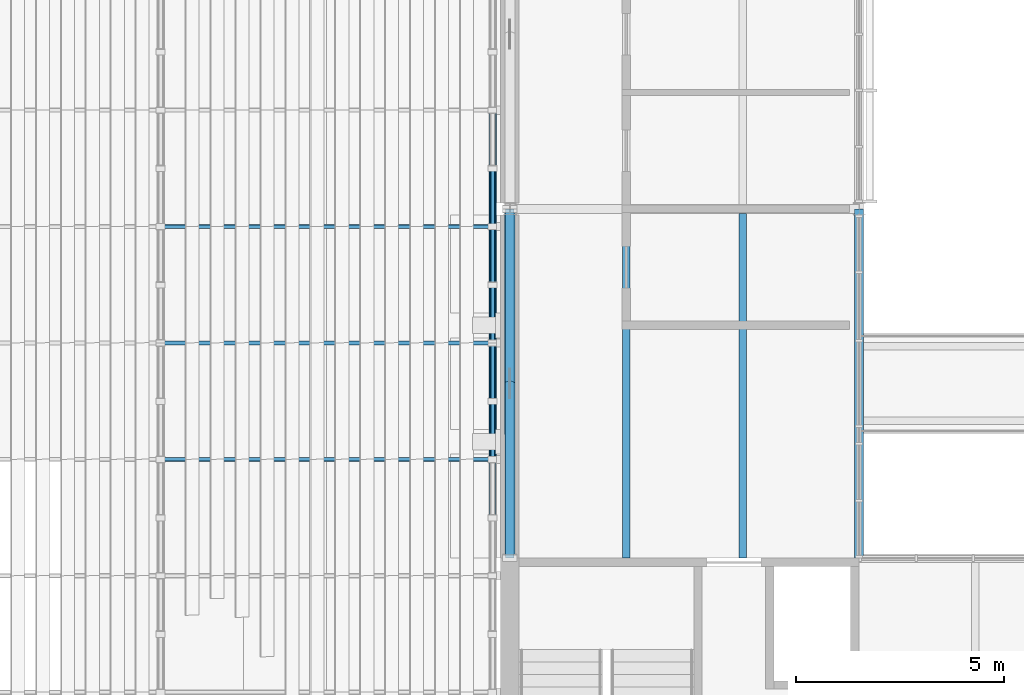
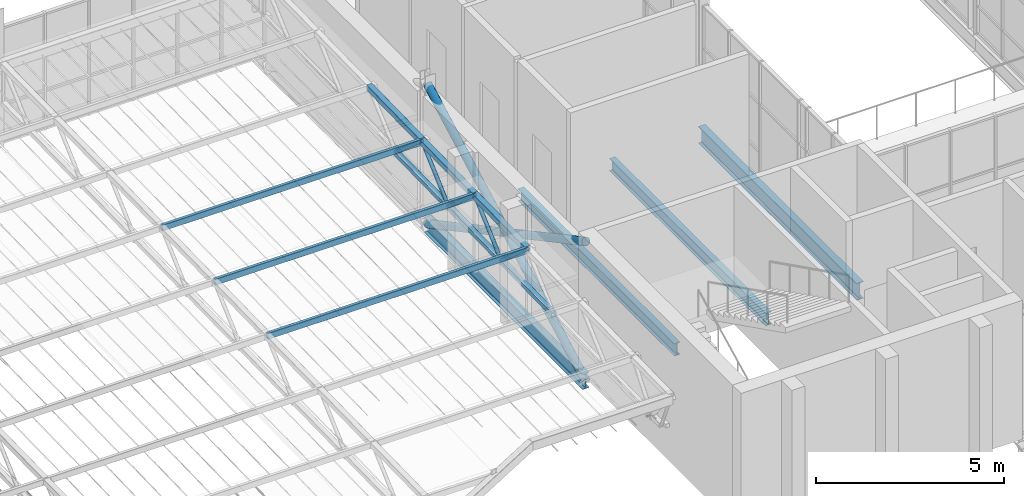
# One storey, part 36 of 129: 17 members, 4 beams.
"""IFC4 building model written with IfcOpenShell, lengths in metres."""

from ifc_helpers import new_model, si_unit, direction, frame, origin, origin_2d, place, context, subcontext, project, spatial, hollow_rectangle, hollow_circle, i_section, extrude, material, material_profile, profile_set, type_object, element, save


model = new_model("IFC4")

# Units and contexts
model_context = context("Model", 3, precision=1e-05, world=origin(), true_north=direction((0.0, 1.0)))
body_context = subcontext(model_context, "Body", "Model", "MODEL_VIEW")
ifc_project = project(units=[si_unit("LENGTHUNIT", "METRE"), si_unit("AREAUNIT", "SQUARE_METRE"), si_unit("VOLUMEUNIT", "CUBIC_METRE"), si_unit("PLANEANGLEUNIT", "RADIAN"), si_unit("MASSUNIT", "GRAM", prefix="KILO")], contexts=[model_context])

# Site, building, storey
site_placement = place(None, origin())
site = spatial("IfcSite", under=ifc_project, at=site_placement, CompositionType="ELEMENT")
building_placement = place(site_placement, origin())
building = spatial("IfcBuilding", under=site, at=building_placement, Name="Ardhachandra Cancer Care Centre", CompositionType="ELEMENT")
storey_placement = place(building_placement, frame((0.0, 0.0, 4.5)))
storey = spatial("IfcBuildingStorey", under=building, at=storey_placement, Name="L01", CompositionType="ELEMENT", Elevation=4.5)

# Beams
ifc_material_1 = material(Name="Steel E350 (IS 2062)", Category="steel")
ifc_material_profile_1 = material_profile(ifc_material_1, i_section(OverallWidth=0.179931640625, OverallDepth=0.39990234375, WebThickness=0.008544921875, FlangeThickness=0.013427734375, FilletRadius=0.02099609375, at=origin_2d()), Name="NPB 400x180x66.30")
ifc_profile_set_1 = profile_set([ifc_material_profile_1], Name="Steel E350 (IS 2062)")
beam_type_1 = type_object("IfcBeamType", Name="Beam NPB 400x180x66.30", PredefinedType="BEAM", material=ifc_profile_set_1)
for number, where, z_axis, x_axis, name in (
    (1, (114.39990234375, 37.800048828125, -0.35009765625), (0.0, 1.0, 0.0), (-1.0, 0.0, 0.0), "Secondary D13-E13@2800"),
    (2, (117.199951171875, 37.800048828125, -0.35009765625), (0.0, 1.0, 0.0), (-1.0, 0.0, 0.0), "Secondary D13-E13@5600"),
):
    element("IfcBeam", number, at=place(storey_placement, frame(where, z_axis=z_axis, x_axis=x_axis)), inside=storey, type_object=beam_type_1, Name=name, PredefinedType="BEAM", context=body_context, shape_type="SweptSolid", body=[
        extrude(i_section(OverallWidth=0.179931640625, OverallDepth=0.39990234375, WebThickness=0.008544921875, FlangeThickness=0.013427734375, FilletRadius=0.02099609375, at=origin_2d()), origin(), (0.0, 0.0, 1.0), 8.294921875),
    ])
ifc_material_2 = material(Name="Steel E350 (IS 2062)", Category="steel")
ifc_material_profile_2 = material_profile(ifc_material_2, i_section(OverallWidth=0.199951171875, OverallDepth=0.5, WebThickness=0.01025390625, FlangeThickness=0.01611328125, FilletRadius=0.02099609375, at=origin_2d()), Name="NPB 500x200x90.68")
ifc_profile_set_2 = profile_set([ifc_material_profile_2], Name="Steel E350 (IS 2062)")
beam_type_2 = type_object("IfcBeamType", Name="Beam NPB 500x200x90.68", PredefinedType="BEAM", material=ifc_profile_set_2)
beam_1_placement = place(storey_placement, frame((111.60009765625, 37.800048828125, -0.39990234375), z_axis=(0.0, 1.0, 0.0), x_axis=(-1.0, 0.0, 0.0)))
element("IfcBeam", 3, at=beam_1_placement, inside=storey, type_object=beam_type_2, Name="Edge girder D13-E13", PredefinedType="BEAM", context=body_context, shape_type="SweptSolid", body=[
    extrude(i_section(OverallWidth=0.199951171875, OverallDepth=0.5, WebThickness=0.01025390625, FlangeThickness=0.01611328125, FilletRadius=0.02099609375, at=origin_2d()), origin(), (0.0, 0.0, 1.0), 8.39990234375),
])
ifc_material_3 = material(Name="Steel E350 (IS 2062)", Category="steel")
ifc_material_profile_3 = material_profile(ifc_material_3, i_section(OverallWidth=0.2099609375, OverallDepth=0.550048828125, WebThickness=0.010986328125, FlangeThickness=0.01708984375, FilletRadius=0.02392578125, at=origin_2d()), Name="NPB 550x210x105.52")
ifc_profile_set_3 = profile_set([ifc_material_profile_3], Name="Steel E350 (IS 2062)")
beam_type_3 = type_object("IfcBeamType", Name="Beam NPB 550x210x105.52", PredefinedType="BEAM", material=ifc_profile_set_3)
beam_2_placement = place(storey_placement, frame((120.0, 37.800048828125, -0.425048828125), z_axis=(0.0, 1.0, 0.0), x_axis=(-1.0, 0.0, 0.0)))
element("IfcBeam", 4, at=beam_2_placement, inside=storey, type_object=beam_type_3, Name="Girder D14-E14", PredefinedType="BEAM", context=body_context, shape_type="SweptSolid", body=[
    extrude(i_section(OverallWidth=0.2099609375, OverallDepth=0.550048828125, WebThickness=0.010986328125, FlangeThickness=0.01708984375, FilletRadius=0.02392578125, at=origin_2d()), origin(), (0.0, 0.0, 1.0), 8.39990234375),
])

# Members
ifc_material_4 = material(Name="Steel E350 (IS 2062)", Category="steel")
ifc_material_profile_4 = material_profile(ifc_material_4, hollow_circle(Radius=0.122314453125, WallThickness=0.010009765625, at=origin_2d()), Name="CHS 244.5x10.0")
ifc_profile_set_4 = profile_set([ifc_material_profile_4], Name="Steel E350 (IS 2062)")
member_type_1 = type_object("IfcMemberType", Name="Brace CHS 244.5x10.0", PredefinedType="BRACE", material=ifc_profile_set_4)
member_1_placement = place(storey_placement, frame((111.60009765625, 37.800048828125, -0.39990234375), z_axis=(0.0, 0.880698672939, 0.473676944217), x_axis=(-1.0, 0.0, 0.0)))
element("IfcMember", 5, at=member_1_placement, inside=storey, type_object=member_type_1, Name="Brace V4-Y1116-378 L01 A", PredefinedType="BRACE", context=body_context, shape_type="SweptSolid", body=[
    extrude(hollow_circle(Radius=0.122314453125, WallThickness=0.010009765625, at=origin_2d()), origin(), (0.0, 0.0, 1.0), 9.537841796875),
])
member_2_placement = place(storey_placement, frame((111.60009765625, 46.199951171875, -0.39990234375), z_axis=(0.0, -0.88070935116, 0.473657089864), x_axis=(1.0, 0.0, 0.0)))
element("IfcMember", 6, at=member_2_placement, inside=storey, type_object=member_type_1, Name="Brace V4-Y1116-378 L01 B1", PredefinedType="BRACE", context=body_context, shape_type="SweptSolid", body=[
    extrude(hollow_circle(Radius=0.122314453125, WallThickness=0.010009765625, at=origin_2d()), origin(), (0.0, 0.0, 1.0), 4.768798828125),
])
member_3_placement = place(storey_placement, frame((111.60009765625, 42.0, 1.85888671875), z_axis=(0.0, -0.88068799453, 0.473696797848), x_axis=(1.0, 0.0, 0.0)))
element("IfcMember", 7, at=member_3_placement, inside=storey, type_object=member_type_1, Name="Brace V4-Y1116-378 L01 B2", PredefinedType="BRACE", context=body_context, shape_type="SweptSolid", body=[
    extrude(hollow_circle(Radius=0.122314453125, WallThickness=0.010009765625, at=origin_2d()), origin(), (0.0, 0.0, 1.0), 4.76904296875),
])
ifc_material_5 = material(Name="Steel E350 (IS 2062)", Category="steel")
ifc_material_profile_5 = material_profile(ifc_material_5, hollow_rectangle(XDim=0.10009765625, YDim=0.199951171875, WallThickness=0.006103515625, InnerFilletRadius=0.006103515625, OuterFilletRadius=0.011962890625, at=origin_2d()), Name="RHS 200x100x6.0")
ifc_profile_set_5 = profile_set([ifc_material_profile_5], Name="Steel E350 (IS 2062)")
member_type_2 = type_object("IfcMemberType", Name="Canopy purlin RHS 200x100x6.0", PredefinedType="PURLIN", material=ifc_profile_set_5)
for number, where, z_axis, x_axis, name in (
    (8, (103.199951171875, 45.77490234375, 2.675537109375), (1.0, 0.0, 0.0), (0.0, 1.0, 0.0), "Canopy purlin 3-8"),
    (9, (103.199951171875, 42.97509765625, 2.619384765625), (1.0, 0.0, 0.0), (0.0, 1.0, 0.0), "Canopy purlin 4-8"),
    (10, (103.199951171875, 40.175048828125, 2.5634765625), (1.0, 0.0, 0.0), (0.0, 1.0, 0.0), "Canopy purlin 5-8"),
):
    element("IfcMember", number, at=place(storey_placement, frame(where, z_axis=z_axis, x_axis=x_axis)), inside=storey, type_object=member_type_2, Name=name, PredefinedType="PURLIN", context=body_context, shape_type="SweptSolid", body=[
        extrude(hollow_rectangle(XDim=0.10009765625, YDim=0.199951171875, WallThickness=0.006103515625, InnerFilletRadius=0.006103515625, OuterFilletRadius=0.011962890625, at=origin_2d()), origin(), (0.0, 0.0, 1.0), 7.985107421875),
    ])
ifc_material_6 = material(Name="Steel E350 (IS 2062)", Category="steel")
ifc_material_profile_6 = material_profile(ifc_material_6, hollow_rectangle(XDim=0.14990234375, YDim=0.14990234375, WallThickness=0.006103515625, InnerFilletRadius=0.006103515625, OuterFilletRadius=0.011962890625, at=origin_2d()), Name="SHS 150x150x6.0")
ifc_profile_set_6 = profile_set([ifc_material_profile_6], Name="Steel E350 (IS 2062)")
member_type_3 = type_object("IfcMemberType", Name="Canopy truss bottom chord SHS 150x150x6.0", PredefinedType="CHORD", material=ifc_profile_set_6)
for number, where, z_axis, x_axis, name in (
    (11, (111.18505859375, 47.175048828125, 1.478515625), (0.0, -0.999800721691, -0.019962888244), (1.0, 0.0, 0.0), "Canopy truss 9 bottom chord BC12"),
    (12, (111.18505859375, 44.375, 1.422607421875), (0.0, -0.999798977995, -0.02005002746), (1.0, 0.0, 0.0), "Canopy truss 9 bottom chord BC13"),
    (13, (111.18505859375, 41.574951171875, 1.366455078125), (0.0, -0.999800721691, -0.019962888244), (1.0, 0.0, 0.0), "Canopy truss 9 bottom chord BC14"),
):
    element("IfcMember", number, at=place(storey_placement, frame(where, z_axis=z_axis, x_axis=x_axis)), inside=storey, type_object=member_type_3, Name=name, PredefinedType="CHORD", context=body_context, shape_type="SweptSolid", body=[
        extrude(hollow_rectangle(XDim=0.14990234375, YDim=0.14990234375, WallThickness=0.006103515625, InnerFilletRadius=0.006103515625, OuterFilletRadius=0.011962890625, at=origin_2d()), origin(), (0.0, 0.0, 1.0), 2.800537109375),
    ])
ifc_material_7 = material(Name="Steel E350 (IS 2062)", Category="steel")
ifc_material_profile_7 = material_profile(ifc_material_7, hollow_circle(Radius=0.05712890625, WallThickness=0.0048828125, at=origin_2d()), Name="CHS 114.3x5.0")
ifc_profile_set_7 = profile_set([ifc_material_profile_7], Name="Steel E350 (IS 2062)")
member_type_4 = type_object("IfcMemberType", Name="Canopy truss diagonal CHS 114.3x5.0", PredefinedType="BRACE", material=ifc_profile_set_7)
member_4_placement = place(storey_placement, frame((111.18505859375, 47.175048828125, 1.478515625), z_axis=(0.0, -0.75740770942, 0.65294223459), x_axis=(1.0, 0.0, 0.0)))
element("IfcMember", 14, at=member_4_placement, inside=storey, type_object=member_type_4, Name="Canopy truss 9 web diagonal WD23", PredefinedType="BRACE", context=body_context, shape_type="SweptSolid", body=[
    extrude(hollow_circle(Radius=0.05712890625, WallThickness=0.0048828125, at=origin_2d()), origin(), (0.0, 0.0, 1.0), 1.8486328125),
])
member_5_placement = place(storey_placement, frame((111.18505859375, 45.77490234375, 2.685546875), z_axis=(0.0, -0.742495214915, -0.669851368461), x_axis=(1.0, 0.0, 0.0)))
element("IfcMember", 15, at=member_5_placement, inside=storey, type_object=member_type_4, Name="Canopy truss 9 web diagonal WD24", PredefinedType="BRACE", context=body_context, shape_type="SweptSolid", body=[
    extrude(hollow_circle(Radius=0.05712890625, WallThickness=0.0048828125, at=origin_2d()), origin(), (0.0, 0.0, 1.0), 1.885498046875),
])
member_6_placement = place(storey_placement, frame((111.18505859375, 44.375, 1.422607421875), z_axis=(0.0, -0.757416719347, 0.652931783002), x_axis=(1.0, 0.0, 0.0)))
element("IfcMember", 16, at=member_6_placement, inside=storey, type_object=member_type_4, Name="Canopy truss 9 web diagonal WD25", PredefinedType="BRACE", context=body_context, shape_type="SweptSolid", body=[
    extrude(hollow_circle(Radius=0.05712890625, WallThickness=0.0048828125, at=origin_2d()), origin(), (0.0, 0.0, 1.0), 1.84814453125),
])
member_7_placement = place(storey_placement, frame((111.18505859375, 42.97509765625, 2.62939453125), z_axis=(0.0, -0.742553308775, -0.669786968839), x_axis=(1.0, 0.0, 0.0)))
element("IfcMember", 17, at=member_7_placement, inside=storey, type_object=member_type_4, Name="Canopy truss 9 web diagonal WD26", PredefinedType="BRACE", context=body_context, shape_type="SweptSolid", body=[
    extrude(hollow_circle(Radius=0.05712890625, WallThickness=0.0048828125, at=origin_2d()), origin(), (0.0, 0.0, 1.0), 1.885498046875),
])
member_8_placement = place(storey_placement, frame((111.18505859375, 41.574951171875, 1.366455078125), z_axis=(0.0, -0.757351396119, 0.653007551868), x_axis=(1.0, 0.0, 0.0)))
element("IfcMember", 18, at=member_8_placement, inside=storey, type_object=member_type_4, Name="Canopy truss 9 web diagonal WD27", PredefinedType="BRACE", context=body_context, shape_type="SweptSolid", body=[
    extrude(hollow_circle(Radius=0.05712890625, WallThickness=0.0048828125, at=origin_2d()), origin(), (0.0, 0.0, 1.0), 1.848388671875),
])
ifc_material_8 = material(Name="Steel E350 (IS 2062)", Category="steel")
ifc_material_profile_8 = material_profile(ifc_material_8, hollow_rectangle(XDim=0.179931640625, YDim=0.179931640625, WallThickness=0.008056640625, InnerFilletRadius=0.008056640625, OuterFilletRadius=0.01611328125, at=origin_2d()), Name="SHS 180x180x8.0")
ifc_profile_set_8 = profile_set([ifc_material_profile_8], Name="Steel E350 (IS 2062)")
member_type_5 = type_object("IfcMemberType", Name="Canopy truss top chord SHS 180x180x8.0", PredefinedType="CHORD", material=ifc_profile_set_8)
member_9_placement = place(storey_placement, frame((111.18505859375, 48.574951171875, 2.741455078125), z_axis=(0.0, -0.999800721691, -0.019962888244), x_axis=(1.0, 0.0, 0.0)))
element("IfcMember", 19, at=member_9_placement, inside=storey, type_object=member_type_5, Name="Canopy truss 9 top chord TC3", PredefinedType="CHORD", context=body_context, shape_type="SweptSolid", body=[
    extrude(hollow_rectangle(XDim=0.179931640625, YDim=0.179931640625, WallThickness=0.008056640625, InnerFilletRadius=0.008056640625, OuterFilletRadius=0.01611328125, at=origin_2d()), origin(), (0.0, 0.0, 1.0), 2.800537109375),
])
member_10_placement = place(storey_placement, frame((111.18505859375, 45.77490234375, 2.685546875), z_axis=(0.0, -0.999798942946, -0.020051775103), x_axis=(1.0, 0.0, 0.0)))
element("IfcMember", 20, at=member_10_placement, inside=storey, type_object=member_type_5, Name="Canopy truss 9 top chord TC4", PredefinedType="CHORD", context=body_context, shape_type="SweptSolid", body=[
    extrude(hollow_rectangle(XDim=0.179931640625, YDim=0.179931640625, WallThickness=0.008056640625, InnerFilletRadius=0.008056640625, OuterFilletRadius=0.01611328125, at=origin_2d()), origin(), (0.0, 0.0, 1.0), 2.80029296875),
])
member_11_placement = place(storey_placement, frame((111.18505859375, 42.97509765625, 2.62939453125), z_axis=(0.0, -0.999800721691, -0.019962888244), x_axis=(1.0, 0.0, 0.0)))
element("IfcMember", 21, at=member_11_placement, inside=storey, type_object=member_type_5, Name="Canopy truss 9 top chord TC5", PredefinedType="CHORD", context=body_context, shape_type="SweptSolid", body=[
    extrude(hollow_rectangle(XDim=0.179931640625, YDim=0.179931640625, WallThickness=0.008056640625, InnerFilletRadius=0.008056640625, OuterFilletRadius=0.01611328125, at=origin_2d()), origin(), (0.0, 0.0, 1.0), 2.800537109375),
])

save(model, "model.ifc")
